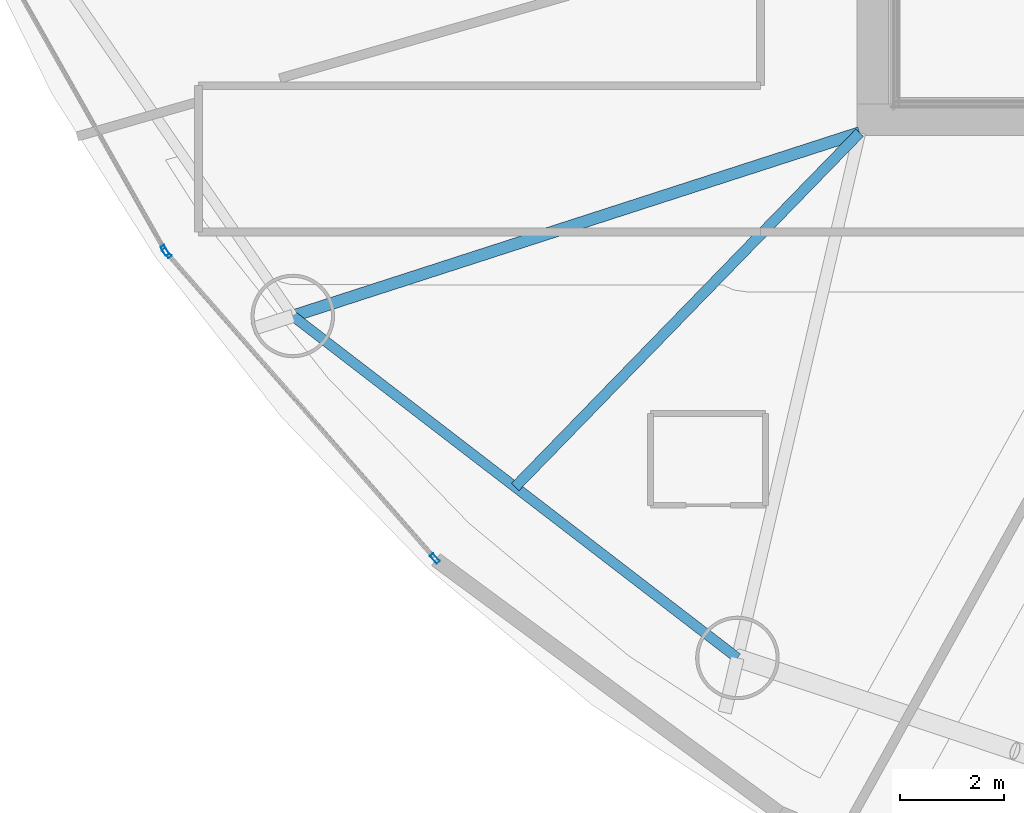
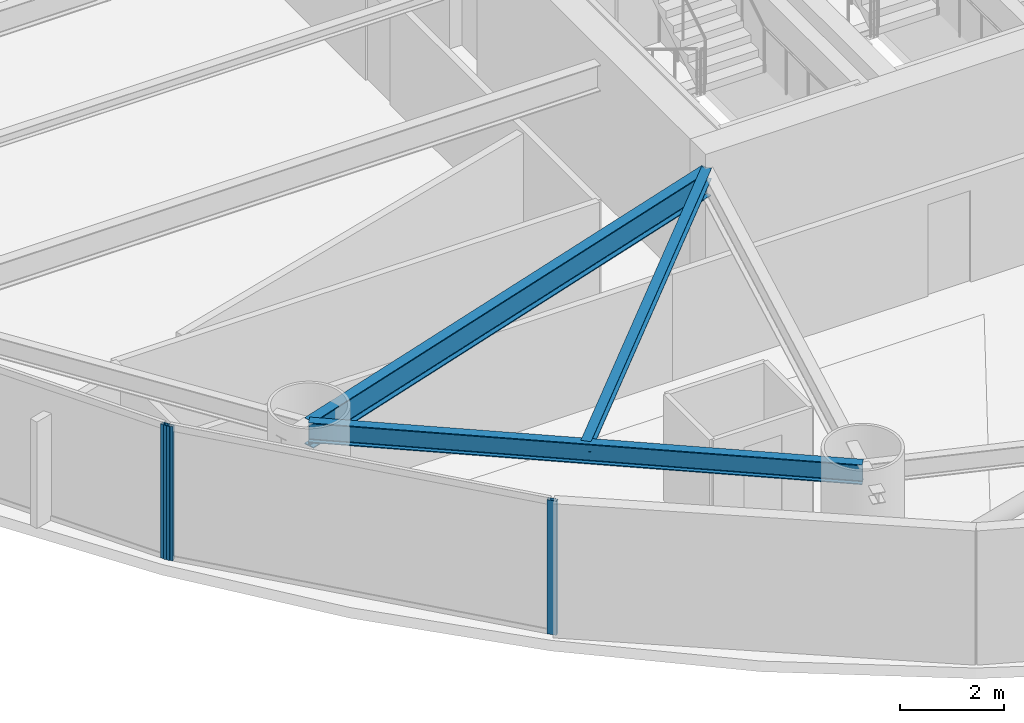
# One storey, part 2 of 25: 3 beams, 3 members, 2 elements without a shape of their own.
"""IFC4 building model written with IfcOpenShell, lengths in metres."""

import ifcopenshell
import ifcopenshell.guid

model = None  # the IFC model being written
_history = None  # IfcOwnerHistory: only IFC2X3 demands one
_inside = {}  # id of a spatial element -> (the spatial element, [elements in it])
_under = {}  # id of a project, library or spatial element -> (it, [spatial elements below it])
_declared = {}  # id of a project -> (the project, [libraries it declares])
_typed = {}  # id of a type object -> (the type object, [elements of that type])
_made_of = {}  # id of a material, layer set ... -> (it, [elements and type objects made of it])


def new_model(schema):
    """Start an empty IFC model of exactly this schema.

    Asked for "IFC4X3", IfcOpenShell would pick the latest addendum, in which some entities
    have other attributes; the version numbers below select the first issue.
    IFC2X3 requires an IfcOwnerHistory on every rooted entity: one is made here for all.
    """
    global model, _history
    if schema == "IFC4X3":
        model = ifcopenshell.file(schema_version=(4, 3, 0, 0))
    else:
        model = ifcopenshell.file(schema=schema)
    _inside.clear()
    _under.clear()
    _declared.clear()
    _typed.clear()
    _made_of.clear()
    _history = None
    if model.schema == "IFC2X3":
        org = make("IfcOrganization", Name="unknown")
        user = make(
            "IfcPersonAndOrganization",
            ThePerson=make("IfcPerson", FamilyName="unknown"),
            TheOrganization=org,
        )
        app = make(
            "IfcApplication",
            ApplicationDeveloper=org,
            Version="unknown",
            ApplicationFullName="unknown",
            ApplicationIdentifier="unknown",
        )
        _history = make(
            "IfcOwnerHistory",
            OwningUser=user,
            OwningApplication=app,
            ChangeAction="ADDED",
            CreationDate=0,
        )
    return model


def make(cls, **values):
    """One entity of the class cls with the attributes given. An attribute that is None is left unset."""
    return model.create_entity(
        cls, **{name: value for name, value in values.items() if value is not None}
    )


def rooted(cls, **values):
    """An entity with a GlobalId (a new one), such as an element, a storey or a relation."""
    return make(cls, GlobalId=ifcopenshell.guid.new(), OwnerHistory=_history, **values)


def si_unit(unit_type, name, prefix=None):
    """IfcSIUnit, for example si_unit("LENGTHUNIT", "METRE", prefix="MILLI")."""
    return make("IfcSIUnit", UnitType=unit_type, Prefix=prefix, Name=name)


def assignment(units):
    """IfcUnitAssignment: the units of a project."""
    return None if units is None else make("IfcUnitAssignment", Units=units)


def point(xyz):
    """IfcCartesianPoint."""
    return None if xyz is None else make("IfcCartesianPoint", Coordinates=xyz)


def direction(xyz):
    """IfcDirection."""
    return None if xyz is None else make("IfcDirection", DirectionRatios=xyz)


def frame(location, z_axis=None, x_axis=None):
    """IfcAxis2Placement3D, a coordinate frame: its origin and axes. An axis left out is left unset."""
    return make(
        "IfcAxis2Placement3D",
        Location=point(location),
        Axis=direction(z_axis),
        RefDirection=direction(x_axis),
    )


def frame_2d(location, x_axis=None):
    """IfcAxis2Placement2D, a coordinate frame in the plane: its origin and x axis."""
    return make(
        "IfcAxis2Placement2D", Location=point(location), RefDirection=direction(x_axis)
    )


def origin():
    """The frame at (0, 0, 0) with its axes left unset."""
    return frame((0.0, 0.0, 0.0))


def origin_2d():
    """The frame at (0, 0) in the plane with its x axis left unset."""
    return frame_2d((0.0, 0.0))


def place(relative_to, where):
    """IfcLocalPlacement: puts the frame where relative to a parent placement (None: the world)."""
    return make(
        "IfcLocalPlacement", PlacementRelTo=relative_to, RelativePlacement=where
    )


def context(
    kind, dimensions, precision=None, world=None, true_north=None, identifier=None
):
    """IfcGeometricRepresentationContext, for example the 3D "Model" context."""
    return make(
        "IfcGeometricRepresentationContext",
        ContextIdentifier=identifier,
        ContextType=kind,
        CoordinateSpaceDimension=dimensions,
        Precision=precision,
        WorldCoordinateSystem=world,
        TrueNorth=true_north,
    )


def subcontext(parent, identifier, kind, view, scale=None):
    """IfcGeometricRepresentationSubContext, for example "Body" below "Model"."""
    return make(
        "IfcGeometricRepresentationSubContext",
        ContextIdentifier=identifier,
        ContextType=kind,
        ParentContext=parent,
        TargetScale=scale,
        TargetView=view,
    )


def project(units=None, contexts=None):
    """IfcProject with its units and contexts."""
    return rooted(
        "IfcProject",
        Name="project",
        RepresentationContexts=contexts,
        UnitsInContext=assignment(units),
    )


def spatial(cls, under=None, at=None, **own):
    """A site, building, storey or space (cls), placed at a placement, below another one or the project."""
    s = rooted(cls, ObjectPlacement=at, **own)
    if under is not None:
        _under.setdefault(under.id(), (under, []))[1].append(s)
    return s


def profile(cls, at=None, kind="AREA", **sizes):
    """A parametric profile (cls). Its sizes go by their IFC names, for example OverallWidth=200.0."""
    return make(cls, ProfileType=kind, Position=at, **sizes)


def hollow_rectangle(**sizes):
    """IfcRectangleHollowProfileDef."""
    return profile("IfcRectangleHollowProfileDef", **sizes)


def i_section(**sizes):
    """IfcIShapeProfileDef."""
    return profile("IfcIShapeProfileDef", **sizes)


def extrude(swept, where, along, depth):
    """IfcExtrudedAreaSolid: the profile swept, set in the frame where, extruded along a direction by depth."""
    return make(
        "IfcExtrudedAreaSolid",
        SweptArea=swept,
        Position=where,
        ExtrudedDirection=direction(along),
        Depth=depth,
    )


def shape(context_of_items, identifier, shape_type, items):
    """IfcShapeRepresentation: the items that make up one representation, for example the "Body"."""
    return make(
        "IfcShapeRepresentation",
        ContextOfItems=context_of_items,
        RepresentationIdentifier=identifier,
        RepresentationType=shape_type,
        Items=items,
    )


def material(Name=None, Category=None):
    """IfcMaterial."""
    return make("IfcMaterial", Name=Name, Category=Category)


def layer(
    of_material, thickness, ventilated=None, Name=None, Category=None, Priority=None
):
    """IfcMaterialLayer: one layer of a wall or slab, of a material (None: an air gap)."""
    return make(
        "IfcMaterialLayer",
        Material=of_material,
        LayerThickness=thickness,
        IsVentilated=ventilated,
        Name=Name,
        Category=Category,
        Priority=Priority,
    )


def layer_set(layers, Name=None):
    """IfcMaterialLayerSet."""
    return make("IfcMaterialLayerSet", MaterialLayers=layers, LayerSetName=Name)


def material_profile(
    of_material, cross_section, Name=None, Category=None, Priority=None
):
    """IfcMaterialProfile: a cross section and its material."""
    return make(
        "IfcMaterialProfile",
        Name=Name,
        Material=of_material,
        Profile=cross_section,
        Priority=Priority,
        Category=Category,
    )


def profile_set(profiles, Name=None, composite=None):
    """IfcMaterialProfileSet."""
    return make(
        "IfcMaterialProfileSet",
        Name=Name,
        MaterialProfiles=profiles,
        CompositeProfile=composite,
    )


def made_of(thing, what):
    """Note that an element or type object is made of a material, layer set ...; save() writes the relation."""
    if what is not None:
        _made_of.setdefault(what.id(), (what, []))[1].append(thing)
    return thing


def type_object(cls, material=None, **own):
    """A type object (cls), such as IfcWallType, which elements share."""
    return made_of(rooted(cls, **own), material)


def element(
    cls,
    number,
    at=None,
    inside=None,
    cuts=None,
    type_object=None,
    material=None,
    context=None,
    identifier="Body",
    shape_type=None,
    held_by="IfcProductDefinitionShape",
    body=None,
    shapes=None,
    **own,
):
    """One element of the class cls, such as IfcWall. Its Tag is "e" and its number.

    at: its placement. inside: the storey or other place that contains it. cuts: it is an
    opening in that element (IfcRelVoidsElement). A single representation is given by context,
    identifier, shape_type and body (its items); several are given by shapes. held_by: the class
    of the entity that holds the representations. save() writes the other relations.
    """
    e = rooted(cls, Tag="e%d" % number, ObjectPlacement=at, **own)
    if body is not None:
        shapes = [shape(context, identifier, shape_type, body)]
    if shapes is not None:
        e.Representation = make(held_by, Representations=shapes)
    if inside is not None:
        _inside.setdefault(inside.id(), (inside, []))[1].append(e)
    if cuts is not None:
        rooted(
            "IfcRelVoidsElement", RelatingBuildingElement=cuts, RelatedOpeningElement=e
        )
    if type_object is not None:
        _typed.setdefault(type_object.id(), (type_object, []))[1].append(e)
    return made_of(e, material)


def aggregate(whole, parts):
    """IfcRelAggregates: a whole, such as a stair, and the parts it consists of."""
    return rooted("IfcRelAggregates", RelatingObject=whole, RelatedObjects=parts)


def save(model, path):
    """Write the relations noted so far, then the file.

    IfcRelAggregates (storeys below a building ...), IfcRelContainedInSpatialStructure (elements
    in a storey), IfcRelDefinesByType, IfcRelAssociatesMaterial and IfcRelDeclares: one each for
    every whole, place, type object, material and project.
    """
    for whole, parts in _under.values():
        aggregate(whole, parts)
    for where, things in _inside.values():
        rooted(
            "IfcRelContainedInSpatialStructure",
            RelatedElements=things,
            RelatingStructure=where,
        )
    for kind, things in _typed.values():
        rooted("IfcRelDefinesByType", RelatedObjects=things, RelatingType=kind)
    for what, things in _made_of.values():
        rooted("IfcRelAssociatesMaterial", RelatedObjects=things, RelatingMaterial=what)
    for by, libraries in _declared.values():
        rooted("IfcRelDeclares", RelatingContext=by, RelatedDefinitions=libraries)
    model.write(path)


model = new_model("IFC4")

# Units and contexts
model_context = context("Model", 3, precision=1e-05, world=origin(), true_north=direction((0.0, 1.0)))
body_context = subcontext(model_context, "Body", "Model", "MODEL_VIEW")
ifc_project = project(units=[si_unit("LENGTHUNIT", "METRE"), si_unit("AREAUNIT", "SQUARE_METRE"), si_unit("VOLUMEUNIT", "CUBIC_METRE"), si_unit("PLANEANGLEUNIT", "RADIAN"), si_unit("MASSUNIT", "GRAM", prefix="KILO")], contexts=[model_context])

# Site, building, storey
site_placement = place(None, origin())
site = spatial("IfcSite", under=ifc_project, at=site_placement, CompositionType="ELEMENT")
building_placement = place(site_placement, origin())
building = spatial("IfcBuilding", under=site, at=building_placement, Name="Bramvorn Convention Spire", CompositionType="ELEMENT")
storey_placement = place(building_placement, frame((0.0, 0.0, 93.89990234375)))
storey = spatial("IfcBuildingStorey", under=building, at=storey_placement, Name="L22", CompositionType="ELEMENT", Elevation=93.89990234375)

# Beams
ifc_material_1 = material(Name="Steel CSA G40.21 Grade 350 (350W)", Category="steel")
ifc_material_profile_1 = material_profile(ifc_material_1, i_section(OverallWidth=0.201904296875, OverallDepth=0.2470703125, WebThickness=0.00732421875, FlangeThickness=0.010986328125, FilletRadius=0.011962890625, at=origin_2d()))
ifc_profile_set_1 = profile_set([ifc_material_profile_1], Name="Steel CSA G40.21 Grade 350 (350W) - W250X49")
beam_type_1 = type_object("IfcBeamType", Name="BM-W250X49", PredefinedType="JOIST", material=ifc_profile_set_1)
beam_1_placement = place(storey_placement, frame((26.75, 18.550048828125, 3.026611328125), z_axis=(-0.697157225069, -0.716918268378, 0.0), x_axis=(0.716918268378, -0.697157225069, 0.0)))
element("IfcBeam", 1, at=beam_1_placement, inside=storey, type_object=beam_type_1, Name="L22 composite floor joist 11", PredefinedType="JOIST", context=body_context, shape_type="SweptSolid", body=[
    extrude(i_section(OverallWidth=0.201904296875, OverallDepth=0.2470703125, WebThickness=0.00732421875, FlangeThickness=0.010986328125, FilletRadius=0.011962890625, at=origin_2d()), origin(), (0.0, 0.0, 1.0), 9.463623046875),
])
ifc_material_profile_2 = material_profile(ifc_material_1, i_section(OverallWidth=0.194091796875, OverallDepth=0.468994140625, WebThickness=0.0126953125, FlangeThickness=0.0205078125, FilletRadius=0.01806640625, at=origin_2d()))
ifc_profile_set_2 = profile_set([ifc_material_profile_2], Name="Steel CSA G40.21 Grade 350 (350W) - W460X106")
beam_type_2 = type_object("IfcBeamType", Name="BM-W460X106", PredefinedType="SPANDREL", material=ifc_profile_set_2)
beam_2_placement = place(storey_placement, frame((15.894775390625, 15.039794921875, 2.91552734375), z_axis=(0.792672990445, -0.609647053809, 0.0), x_axis=(0.609647053809, 0.792672990445, 0.0)))
element("IfcBeam", 2, at=beam_2_placement, inside=storey, type_object=beam_type_2, Name="L22 mega-column ring beam 11", PredefinedType="SPANDREL", context=body_context, shape_type="SweptSolid", body=[
    extrude(i_section(OverallWidth=0.194091796875, OverallDepth=0.468994140625, WebThickness=0.0126953125, FlangeThickness=0.0205078125, FilletRadius=0.01806640625, at=origin_2d()), origin(), (0.0, 0.0, 1.0), 10.741943359375),
])
ifc_material_profile_3 = material_profile(ifc_material_1, i_section(OverallWidth=0.22998046875, OverallDepth=0.616943359375, WebThickness=0.01318359375, FlangeThickness=0.022216796875, FilletRadius=0.02001953125, at=origin_2d()))
ifc_profile_set_3 = profile_set([ifc_material_profile_3], Name="Steel CSA G40.21 Grade 350 (350W) - W610X140")
beam_type_3 = type_object("IfcBeamType", Name="BM-W610X140", PredefinedType="BEAM", material=ifc_profile_set_3)
beam_3_placement = place(storey_placement, frame((26.75, 18.550048828125, 2.841552734375), z_axis=(-0.951488933275, -0.307682969719, 0.0), x_axis=(0.307682969719, -0.951488933275, 0.0)))
element("IfcBeam", 3, at=beam_3_placement, inside=storey, type_object=beam_type_3, Name="L22 radial floor girder MC11", PredefinedType="BEAM", context=body_context, shape_type="SweptSolid", body=[
    extrude(i_section(OverallWidth=0.22998046875, OverallDepth=0.616943359375, WebThickness=0.01318359375, FlangeThickness=0.022216796875, FilletRadius=0.02001953125, at=origin_2d()), origin(), (0.0, 0.0, 1.0), 11.40869140625),
])

# Curtain wall, member
ifc_material_2 = material(Name="Anodised Bronze Unitised Curtain Wall", Category="aluminium")
ifc_layer = layer(ifc_material_2, 0.179931640625)
ifc_layer_set = layer_set([ifc_layer], Name="Anodised Bronze Unitised Curtain Wall - CW-HTL-FRIT")
curtain_wall_type = type_object("IfcCurtainWallType", Name="CW-HTL-FRIT", PredefinedType="USERDEFINED", material=ifc_layer_set)
curtain_wall_1_placement = place(storey_placement, origin())
curtain_wall_1 = element("IfcCurtainWall", 4, at=curtain_wall_1_placement, inside=storey, type_object=curtain_wall_type, Name="L22 fritted glass curtain wall 15", ObjectType="UNITISED CURTAIN WALL", PredefinedType="USERDEFINED")
ifc_material_3 = material(Name="Anodised Bronze Aluminium 6063-T6", Category="aluminium")
ifc_material_profile_4 = material_profile(ifc_material_3, hollow_rectangle(XDim=0.080078125, YDim=0.199951171875, WallThickness=0.00390625, InnerFilletRadius=0.0009765625, OuterFilletRadius=0.00390625, at=origin_2d()))
ifc_profile_set_4 = profile_set([ifc_material_profile_4], Name="Anodised Bronze Aluminium 6063-T6 - CWM80X200")
member_type = type_object("IfcMemberType", Name="CW-MUL-180", PredefinedType="MULLION", material=ifc_profile_set_4)
member_1_placement = place(storey_placement, frame((13.44482421875, 16.294921875, 0.0), z_axis=(0.0, 0.0, 1.0), x_axis=(-0.870901341503, -0.491457885651, 0.0)))
member_1 = element("IfcMember", 5, at=member_1_placement, type_object=member_type, Name="CW2 mullion 1", PredefinedType="MULLION", context=body_context, shape_type="SweptSolid", body=[
    extrude(hollow_rectangle(XDim=0.080078125, YDim=0.199951171875, WallThickness=0.00390625, InnerFilletRadius=0.0009765625, OuterFilletRadius=0.00390625, at=origin_2d()), origin(), (0.0, 0.0, 1.0), 3.150146484375),
])
aggregate(curtain_wall_1, [member_1])

# Curtain wall, members
curtain_wall_2_placement = place(storey_placement, origin())
curtain_wall_2 = element("IfcCurtainWall", 6, at=curtain_wall_2_placement, inside=storey, type_object=curtain_wall_type, Name="L22 fritted glass curtain wall 16", ObjectType="UNITISED CURTAIN WALL", PredefinedType="USERDEFINED")
member_2_placement = place(storey_placement, frame((18.61572265625, 10.396240234375, 0.0), z_axis=(0.0, 0.0, 1.0), x_axis=(-0.75145826006, -0.659780632777, 0.0)))
member_2 = element("IfcMember", 7, at=member_2_placement, type_object=member_type, Name="CW2 mullion 1", PredefinedType="MULLION", context=body_context, shape_type="SweptSolid", body=[
    extrude(hollow_rectangle(XDim=0.080078125, YDim=0.199951171875, WallThickness=0.00390625, InnerFilletRadius=0.0009765625, OuterFilletRadius=0.00390625, at=origin_2d()), origin(), (0.0, 0.0, 1.0), 3.150146484375),
])
member_3_placement = place(storey_placement, frame((13.4794921875, 16.24609375, 0.0), z_axis=(0.0, 0.0, 1.0), x_axis=(-0.75145826006, -0.659780632777, 0.0)))
member_3 = element("IfcMember", 8, at=member_3_placement, type_object=member_type, Name="CW2 mullion 2", PredefinedType="MULLION", context=body_context, shape_type="SweptSolid", body=[
    extrude(hollow_rectangle(XDim=0.080078125, YDim=0.199951171875, WallThickness=0.00390625, InnerFilletRadius=0.0009765625, OuterFilletRadius=0.00390625, at=origin_2d()), origin(), (0.0, 0.0, 1.0), 3.150146484375),
])
aggregate(curtain_wall_2, [member_2, member_3])

save(model, "model.ifc")
